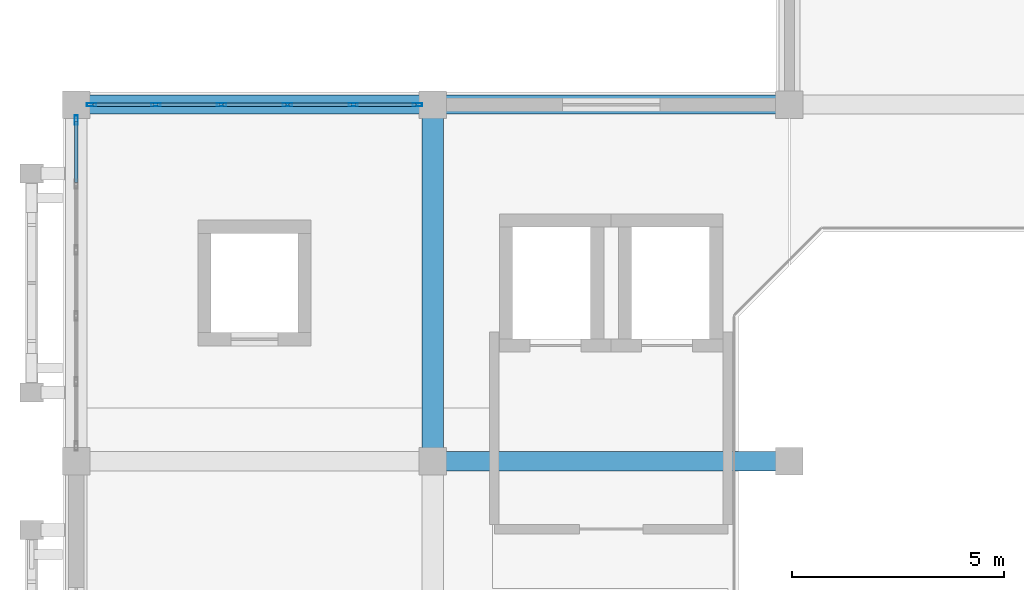
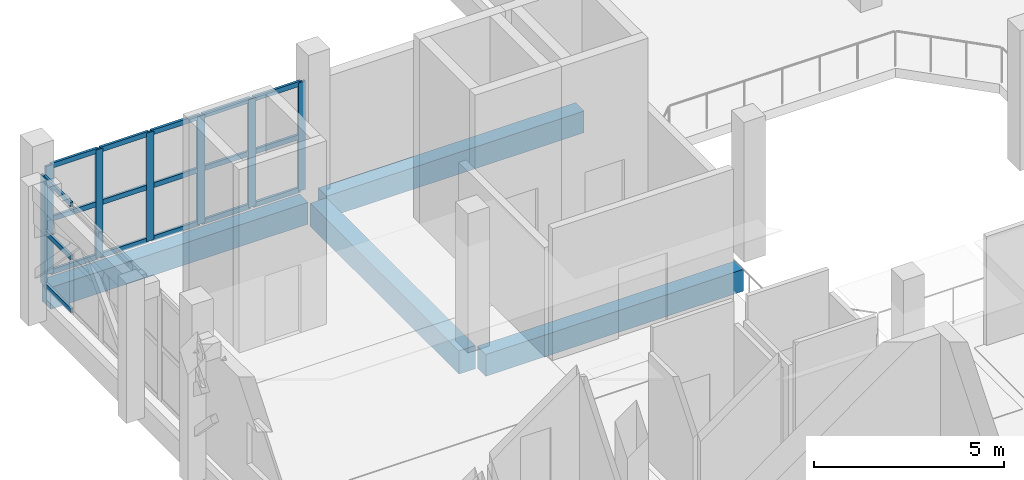
# One storey, part 7 of 16: 25 members, 4 beams, 2 elements without a shape of their own.
"""IFC4 building model written with IfcOpenShell, lengths in metres."""

from ifc_helpers import new_model, si_unit, direction, frame, origin, origin_2d, place, context, subcontext, project, spatial, rectangle, hollow_rectangle, extrude, material, layer, layer_set, material_profile, profile_set, type_object, element, aggregate, save


model = new_model("IFC4")

# Units and contexts
model_context = context("Model", 3, precision=1e-05, world=origin(), true_north=direction((0.0, 1.0)))
body_context = subcontext(model_context, "Body", "Model", "MODEL_VIEW")
ifc_project = project(units=[si_unit("LENGTHUNIT", "METRE"), si_unit("AREAUNIT", "SQUARE_METRE"), si_unit("VOLUMEUNIT", "CUBIC_METRE"), si_unit("PLANEANGLEUNIT", "RADIAN"), si_unit("MASSUNIT", "GRAM", prefix="KILO")], contexts=[model_context])

# Site, building, storey
site_placement = place(None, origin())
site = spatial("IfcSite", under=ifc_project, at=site_placement, CompositionType="ELEMENT")
building_placement = place(site_placement, origin())
building = spatial("IfcBuilding", under=site, at=building_placement, Name="Xazarin Passage Department Store", CompositionType="ELEMENT")
storey_placement = place(building_placement, frame((0.0, 0.0, 32.39990234375)))
storey = spatial("IfcBuildingStorey", under=building, at=storey_placement, Name="L07", CompositionType="ELEMENT", Elevation=32.39990234375)

# Curtain wall, members
ifc_material_1 = material(Name="Bronze anodised aluminium", Category="aluminium")
ifc_layer = layer(ifc_material_1, 0.199951171875)
ifc_layer_set = layer_set([ifc_layer], Name="Bronze anodised aluminium")
curtain_wall_type = type_object("IfcCurtainWallType", Name="ARC-CW-VIT2", PredefinedType="NOTDEFINED", material=ifc_layer_set)
curtain_wall_1_placement = place(storey_placement, origin())
curtain_wall_1 = element("IfcCurtainWall", 1, at=curtain_wall_1_placement, inside=storey, type_object=curtain_wall_type, Name="L07 V1 Curtain Wall 093", PredefinedType="NOTDEFINED")
ifc_material_profile_1 = material_profile(ifc_material_1, hollow_rectangle(XDim=0.074951171875, YDim=0.219970703125, WallThickness=0.0048828125, at=origin_2d()), Name="ALU 75x220")
ifc_profile_set_1 = profile_set([ifc_material_profile_1], Name="Bronze anodised aluminium")
member_type_1 = type_object("IfcMemberType", Name="ARC-CWM-75x220", PredefinedType="MULLION", material=ifc_profile_set_1)
member_1_placement = place(storey_placement, frame((0.362548828125, 101.60009765625, 0.0), z_axis=(0.0, 0.0, 1.0), x_axis=(0.0, 1.0, 0.0)))
member_1 = element("IfcMember", 2, at=member_1_placement, type_object=member_type_1, Name="CW2 mullion 1", PredefinedType="MULLION", context=body_context, shape_type="SweptSolid", body=[
    extrude(hollow_rectangle(XDim=0.074951171875, YDim=0.219970703125, WallThickness=0.0048828125, at=origin_2d()), origin(), (0.0, 0.0, 1.0), 3.489990234375),
])
member_2_placement = place(storey_placement, frame((1.875, 101.60009765625, 0.0), z_axis=(0.0, 0.0, 1.0), x_axis=(0.0, 1.0, 0.0)))
member_2 = element("IfcMember", 3, at=member_2_placement, type_object=member_type_1, Name="CW2 mullion 2", PredefinedType="MULLION", context=body_context, shape_type="SweptSolid", body=[
    extrude(hollow_rectangle(XDim=0.074951171875, YDim=0.219970703125, WallThickness=0.0048828125, at=origin_2d()), origin(), (0.0, 0.0, 1.0), 3.489990234375),
])
member_3_placement = place(storey_placement, frame((3.425048828125, 101.60009765625, 0.0), z_axis=(0.0, 0.0, 1.0), x_axis=(0.0, 1.0, 0.0)))
member_3 = element("IfcMember", 4, at=member_3_placement, type_object=member_type_1, Name="CW2 mullion 3", PredefinedType="MULLION", context=body_context, shape_type="SweptSolid", body=[
    extrude(hollow_rectangle(XDim=0.074951171875, YDim=0.219970703125, WallThickness=0.0048828125, at=origin_2d()), origin(), (0.0, 0.0, 1.0), 3.489990234375),
])
member_4_placement = place(storey_placement, frame((4.97509765625, 101.60009765625, 0.0), z_axis=(0.0, 0.0, 1.0), x_axis=(0.0, 1.0, 0.0)))
member_4 = element("IfcMember", 5, at=member_4_placement, type_object=member_type_1, Name="CW2 mullion 4", PredefinedType="MULLION", context=body_context, shape_type="SweptSolid", body=[
    extrude(hollow_rectangle(XDim=0.074951171875, YDim=0.219970703125, WallThickness=0.0048828125, at=origin_2d()), origin(), (0.0, 0.0, 1.0), 3.489990234375),
])
member_5_placement = place(storey_placement, frame((6.52490234375, 101.60009765625, 0.0), z_axis=(0.0, 0.0, 1.0), x_axis=(0.0, 1.0, 0.0)))
member_5 = element("IfcMember", 6, at=member_5_placement, type_object=member_type_1, Name="CW2 mullion 5", PredefinedType="MULLION", context=body_context, shape_type="SweptSolid", body=[
    extrude(hollow_rectangle(XDim=0.074951171875, YDim=0.219970703125, WallThickness=0.0048828125, at=origin_2d()), origin(), (0.0, 0.0, 1.0), 3.489990234375),
])
member_6_placement = place(storey_placement, frame((8.03759765625, 101.60009765625, 0.0), z_axis=(0.0, 0.0, 1.0), x_axis=(0.0, 1.0, 0.0)))
member_6 = element("IfcMember", 7, at=member_6_placement, type_object=member_type_1, Name="CW2 mullion 6", PredefinedType="MULLION", context=body_context, shape_type="SweptSolid", body=[
    extrude(hollow_rectangle(XDim=0.074951171875, YDim=0.219970703125, WallThickness=0.0048828125, at=origin_2d()), origin(), (0.0, 0.0, 1.0), 3.489990234375),
])

# Curtain wall, member
curtain_wall_2_placement = place(storey_placement, origin())
curtain_wall_2 = element("IfcCurtainWall", 8, at=curtain_wall_2_placement, inside=storey, type_object=curtain_wall_type, Name="L07 V1 Curtain Wall 096", PredefinedType="NOTDEFINED")
member_7_placement = place(storey_placement, frame((0.0, 101.237548828125, 0.0), z_axis=(0.0, 0.0, 1.0), x_axis=(-1.0, 0.0, 0.0)))
member_7 = element("IfcMember", 9, at=member_7_placement, type_object=member_type_1, Name="CW2 mullion 6", PredefinedType="MULLION", context=body_context, shape_type="SweptSolid", body=[
    extrude(hollow_rectangle(XDim=0.074951171875, YDim=0.219970703125, WallThickness=0.0048828125, at=origin_2d()), origin(), (0.0, 0.0, 1.0), 3.489990234375),
])

# Member
ifc_material_profile_2 = material_profile(ifc_material_1, hollow_rectangle(XDim=0.074951171875, YDim=0.159912109375, WallThickness=0.00439453125, at=origin_2d()), Name="ALU 75x160")
ifc_profile_set_2 = profile_set([ifc_material_profile_2], Name="Bronze anodised aluminium")
member_type_2 = type_object("IfcMemberType", Name="ARC-CWT-75x160", PredefinedType="USERDEFINED", material=ifc_profile_set_2)
member_8_placement = place(storey_placement, frame((0.39990234375, 101.60009765625, 0.03759765625), z_axis=(1.0, 0.0, 0.0), x_axis=(0.0, 1.0, 0.0)))
member_8 = element("IfcMember", 10, at=member_8_placement, type_object=member_type_2, Name="CW2 transom 1.1", ObjectType="TRANSOM", PredefinedType="USERDEFINED", context=body_context, shape_type="SweptSolid", body=[
    extrude(hollow_rectangle(XDim=0.074951171875, YDim=0.159912109375, WallThickness=0.00439453125, at=origin_2d()), origin(), (0.0, 0.0, 1.0), 1.4375),
])

member_9_placement = place(storey_placement, frame((0.39990234375, 101.60009765625, 1.7451171875), z_axis=(1.0, 0.0, 0.0), x_axis=(0.0, 1.0, 0.0)))
member_9 = element("IfcMember", 11, at=member_9_placement, type_object=member_type_2, Name="CW2 transom 1.2", ObjectType="TRANSOM", PredefinedType="USERDEFINED", context=body_context, shape_type="SweptSolid", body=[
    extrude(hollow_rectangle(XDim=0.074951171875, YDim=0.159912109375, WallThickness=0.00439453125, at=origin_2d()), origin(), (0.0, 0.0, 1.0), 1.4375),
])

member_10_placement = place(storey_placement, frame((0.39990234375, 101.60009765625, 3.45263671875), z_axis=(1.0, 0.0, 0.0), x_axis=(0.0, 1.0, 0.0)))
member_10 = element("IfcMember", 12, at=member_10_placement, type_object=member_type_2, Name="CW2 transom 1.3", ObjectType="TRANSOM", PredefinedType="USERDEFINED", context=body_context, shape_type="SweptSolid", body=[
    extrude(hollow_rectangle(XDim=0.074951171875, YDim=0.159912109375, WallThickness=0.00439453125, at=origin_2d()), origin(), (0.0, 0.0, 1.0), 1.4375),
])

member_11_placement = place(storey_placement, frame((1.91259765625, 101.60009765625, 0.03759765625), z_axis=(1.0, 0.0, 0.0), x_axis=(0.0, 1.0, 0.0)))
member_11 = element("IfcMember", 13, at=member_11_placement, type_object=member_type_2, Name="CW2 transom 2.1", ObjectType="TRANSOM", PredefinedType="USERDEFINED", context=body_context, shape_type="SweptSolid", body=[
    extrude(hollow_rectangle(XDim=0.074951171875, YDim=0.159912109375, WallThickness=0.00439453125, at=origin_2d()), origin(), (0.0, 0.0, 1.0), 1.474853515625),
])

member_12_placement = place(storey_placement, frame((1.91259765625, 101.60009765625, 1.7451171875), z_axis=(1.0, 0.0, 0.0), x_axis=(0.0, 1.0, 0.0)))
member_12 = element("IfcMember", 14, at=member_12_placement, type_object=member_type_2, Name="CW2 transom 2.2", ObjectType="TRANSOM", PredefinedType="USERDEFINED", context=body_context, shape_type="SweptSolid", body=[
    extrude(hollow_rectangle(XDim=0.074951171875, YDim=0.159912109375, WallThickness=0.00439453125, at=origin_2d()), origin(), (0.0, 0.0, 1.0), 1.474853515625),
])

member_13_placement = place(storey_placement, frame((1.91259765625, 101.60009765625, 3.45263671875), z_axis=(1.0, 0.0, 0.0), x_axis=(0.0, 1.0, 0.0)))
member_13 = element("IfcMember", 15, at=member_13_placement, type_object=member_type_2, Name="CW2 transom 2.3", ObjectType="TRANSOM", PredefinedType="USERDEFINED", context=body_context, shape_type="SweptSolid", body=[
    extrude(hollow_rectangle(XDim=0.074951171875, YDim=0.159912109375, WallThickness=0.00439453125, at=origin_2d()), origin(), (0.0, 0.0, 1.0), 1.474853515625),
])

member_14_placement = place(storey_placement, frame((3.46240234375, 101.60009765625, 0.03759765625), z_axis=(1.0, 0.0, 0.0), x_axis=(0.0, 1.0, 0.0)))
member_14 = element("IfcMember", 16, at=member_14_placement, type_object=member_type_2, Name="CW2 transom 3.1", ObjectType="TRANSOM", PredefinedType="USERDEFINED", context=body_context, shape_type="SweptSolid", body=[
    extrude(hollow_rectangle(XDim=0.074951171875, YDim=0.159912109375, WallThickness=0.00439453125, at=origin_2d()), origin(), (0.0, 0.0, 1.0), 1.47509765625),
])

member_15_placement = place(storey_placement, frame((3.46240234375, 101.60009765625, 1.7451171875), z_axis=(1.0, 0.0, 0.0), x_axis=(0.0, 1.0, 0.0)))
member_15 = element("IfcMember", 17, at=member_15_placement, type_object=member_type_2, Name="CW2 transom 3.2", ObjectType="TRANSOM", PredefinedType="USERDEFINED", context=body_context, shape_type="SweptSolid", body=[
    extrude(hollow_rectangle(XDim=0.074951171875, YDim=0.159912109375, WallThickness=0.00439453125, at=origin_2d()), origin(), (0.0, 0.0, 1.0), 1.47509765625),
])

member_16_placement = place(storey_placement, frame((3.46240234375, 101.60009765625, 3.45263671875), z_axis=(1.0, 0.0, 0.0), x_axis=(0.0, 1.0, 0.0)))
member_16 = element("IfcMember", 18, at=member_16_placement, type_object=member_type_2, Name="CW2 transom 3.3", ObjectType="TRANSOM", PredefinedType="USERDEFINED", context=body_context, shape_type="SweptSolid", body=[
    extrude(hollow_rectangle(XDim=0.074951171875, YDim=0.159912109375, WallThickness=0.00439453125, at=origin_2d()), origin(), (0.0, 0.0, 1.0), 1.47509765625),
])

member_17_placement = place(storey_placement, frame((5.012451171875, 101.60009765625, 0.03759765625), z_axis=(1.0, 0.0, 0.0), x_axis=(0.0, 1.0, 0.0)))
member_17 = element("IfcMember", 19, at=member_17_placement, type_object=member_type_2, Name="CW2 transom 4.1", ObjectType="TRANSOM", PredefinedType="USERDEFINED", context=body_context, shape_type="SweptSolid", body=[
    extrude(hollow_rectangle(XDim=0.074951171875, YDim=0.159912109375, WallThickness=0.00439453125, at=origin_2d()), origin(), (0.0, 0.0, 1.0), 1.47509765625),
])

member_18_placement = place(storey_placement, frame((5.012451171875, 101.60009765625, 1.7451171875), z_axis=(1.0, 0.0, 0.0), x_axis=(0.0, 1.0, 0.0)))
member_18 = element("IfcMember", 20, at=member_18_placement, type_object=member_type_2, Name="CW2 transom 4.2", ObjectType="TRANSOM", PredefinedType="USERDEFINED", context=body_context, shape_type="SweptSolid", body=[
    extrude(hollow_rectangle(XDim=0.074951171875, YDim=0.159912109375, WallThickness=0.00439453125, at=origin_2d()), origin(), (0.0, 0.0, 1.0), 1.47509765625),
])

member_19_placement = place(storey_placement, frame((5.012451171875, 101.60009765625, 3.45263671875), z_axis=(1.0, 0.0, 0.0), x_axis=(0.0, 1.0, 0.0)))
member_19 = element("IfcMember", 21, at=member_19_placement, type_object=member_type_2, Name="CW2 transom 4.3", ObjectType="TRANSOM", PredefinedType="USERDEFINED", context=body_context, shape_type="SweptSolid", body=[
    extrude(hollow_rectangle(XDim=0.074951171875, YDim=0.159912109375, WallThickness=0.00439453125, at=origin_2d()), origin(), (0.0, 0.0, 1.0), 1.47509765625),
])

member_20_placement = place(storey_placement, frame((6.5625, 101.60009765625, 0.03759765625), z_axis=(1.0, 0.0, 0.0), x_axis=(0.0, 1.0, 0.0)))
member_20 = element("IfcMember", 22, at=member_20_placement, type_object=member_type_2, Name="CW2 transom 5.1", ObjectType="TRANSOM", PredefinedType="USERDEFINED", context=body_context, shape_type="SweptSolid", body=[
    extrude(hollow_rectangle(XDim=0.074951171875, YDim=0.159912109375, WallThickness=0.00439453125, at=origin_2d()), origin(), (0.0, 0.0, 1.0), 1.4375),
])

member_21_placement = place(storey_placement, frame((6.5625, 101.60009765625, 1.7451171875), z_axis=(1.0, 0.0, 0.0), x_axis=(0.0, 1.0, 0.0)))
member_21 = element("IfcMember", 23, at=member_21_placement, type_object=member_type_2, Name="CW2 transom 5.2", ObjectType="TRANSOM", PredefinedType="USERDEFINED", context=body_context, shape_type="SweptSolid", body=[
    extrude(hollow_rectangle(XDim=0.074951171875, YDim=0.159912109375, WallThickness=0.00439453125, at=origin_2d()), origin(), (0.0, 0.0, 1.0), 1.4375),
])

member_22_placement = place(storey_placement, frame((6.5625, 101.60009765625, 3.45263671875), z_axis=(1.0, 0.0, 0.0), x_axis=(0.0, 1.0, 0.0)))
member_22 = element("IfcMember", 24, at=member_22_placement, type_object=member_type_2, Name="CW2 transom 5.3", ObjectType="TRANSOM", PredefinedType="USERDEFINED", context=body_context, shape_type="SweptSolid", body=[
    extrude(hollow_rectangle(XDim=0.074951171875, YDim=0.159912109375, WallThickness=0.00439453125, at=origin_2d()), origin(), (0.0, 0.0, 1.0), 1.4375),
])

aggregate(curtain_wall_1, [member_1, member_2, member_3, member_4, member_5, member_6, member_8, member_9, member_10, member_11, member_12, member_13, member_14, member_15, member_16, member_17, member_18, member_19, member_20, member_21, member_22])

member_23_placement = place(storey_placement, frame((0.0, 99.762451171875, 0.03759765625), z_axis=(0.0, 1.0, 0.0), x_axis=(-1.0, 0.0, 0.0)))
member_23 = element("IfcMember", 25, at=member_23_placement, type_object=member_type_2, Name="CW2 transom 5.1", ObjectType="TRANSOM", PredefinedType="USERDEFINED", context=body_context, shape_type="SweptSolid", body=[
    extrude(hollow_rectangle(XDim=0.074951171875, YDim=0.159912109375, WallThickness=0.00439453125, at=origin_2d()), origin(), (0.0, 0.0, 1.0), 1.4375),
])

member_24_placement = place(storey_placement, frame((0.0, 99.762451171875, 1.7451171875), z_axis=(0.0, 1.0, 0.0), x_axis=(-1.0, 0.0, 0.0)))
member_24 = element("IfcMember", 26, at=member_24_placement, type_object=member_type_2, Name="CW2 transom 5.2", ObjectType="TRANSOM", PredefinedType="USERDEFINED", context=body_context, shape_type="SweptSolid", body=[
    extrude(hollow_rectangle(XDim=0.074951171875, YDim=0.159912109375, WallThickness=0.00439453125, at=origin_2d()), origin(), (0.0, 0.0, 1.0), 1.4375),
])

member_25_placement = place(storey_placement, frame((0.0, 99.762451171875, 3.45263671875), z_axis=(0.0, 1.0, 0.0), x_axis=(-1.0, 0.0, 0.0)))
member_25 = element("IfcMember", 27, at=member_25_placement, type_object=member_type_2, Name="CW2 transom 5.3", ObjectType="TRANSOM", PredefinedType="USERDEFINED", context=body_context, shape_type="SweptSolid", body=[
    extrude(hollow_rectangle(XDim=0.074951171875, YDim=0.159912109375, WallThickness=0.00439453125, at=origin_2d()), origin(), (0.0, 0.0, 1.0), 1.4375),
])

aggregate(curtain_wall_2, [member_7, member_23, member_24, member_25])

# Beams
ifc_material_2 = material(Name="Concrete C35/45", Category="concrete")
ifc_material_profile_3 = material_profile(ifc_material_2, rectangle(XDim=0.449951171875, YDim=0.699951171875, at=origin_2d()), Name="RC 450x700")
ifc_profile_set_3 = profile_set([ifc_material_profile_3], Name="Concrete C35/45")
beam_type_1 = type_object("IfcBeamType", Name="STR-BM-G450x700", PredefinedType="BEAM", material=ifc_profile_set_3)
for number, where, z_axis, x_axis, name in (
    (28, (8.679931640625, 93.199951171875, -0.64990234375), (1.0, 0.0, 0.0), (0.0, 1.0, 0.0), "L07 Grid Beam N/2-3"),
    (29, (0.280029296875, 101.60009765625, -0.64990234375), (1.0, 0.0, 0.0), (0.0, 1.0, 0.0), "L07 Grid Beam P/1-2"),
    (30, (8.679931640625, 101.60009765625, -0.64990234375), (1.0, 0.0, 0.0), (0.0, 1.0, 0.0), "L07 Grid Beam P/2-3"),
):
    element("IfcBeam", number, at=place(storey_placement, frame(where, z_axis=z_axis, x_axis=x_axis)), inside=storey, type_object=beam_type_1, Name=name, PredefinedType="BEAM", context=body_context, shape_type="SweptSolid", body=[
        extrude(rectangle(XDim=0.449951171875, YDim=0.699951171875, at=origin_2d()), origin(), (0.0, 0.0, 1.0), 7.840087890625),
    ])
ifc_material_profile_4 = material_profile(ifc_material_2, rectangle(XDim=0.5, YDim=0.75, at=origin_2d()), Name="RC 500x750")
ifc_profile_set_4 = profile_set([ifc_material_profile_4], Name="Concrete C35/45")
beam_type_2 = type_object("IfcBeamType", Name="STR-BM-SP500x750", PredefinedType="SPANDREL", material=ifc_profile_set_4)
beam_placement = place(storey_placement, frame((8.39990234375, 93.47998046875, -0.6748046875), z_axis=(0.0, 1.0, 0.0), x_axis=(-1.0, 0.0, 0.0)))
element("IfcBeam", 31, at=beam_placement, inside=storey, type_object=beam_type_2, Name="L07 Grid Beam 2/N-P", PredefinedType="SPANDREL", context=body_context, shape_type="SweptSolid", body=[
    extrude(rectangle(XDim=0.5, YDim=0.75, at=origin_2d()), origin(), (0.0, 0.0, 1.0), 7.840087890625),
])

save(model, "model.ifc")
